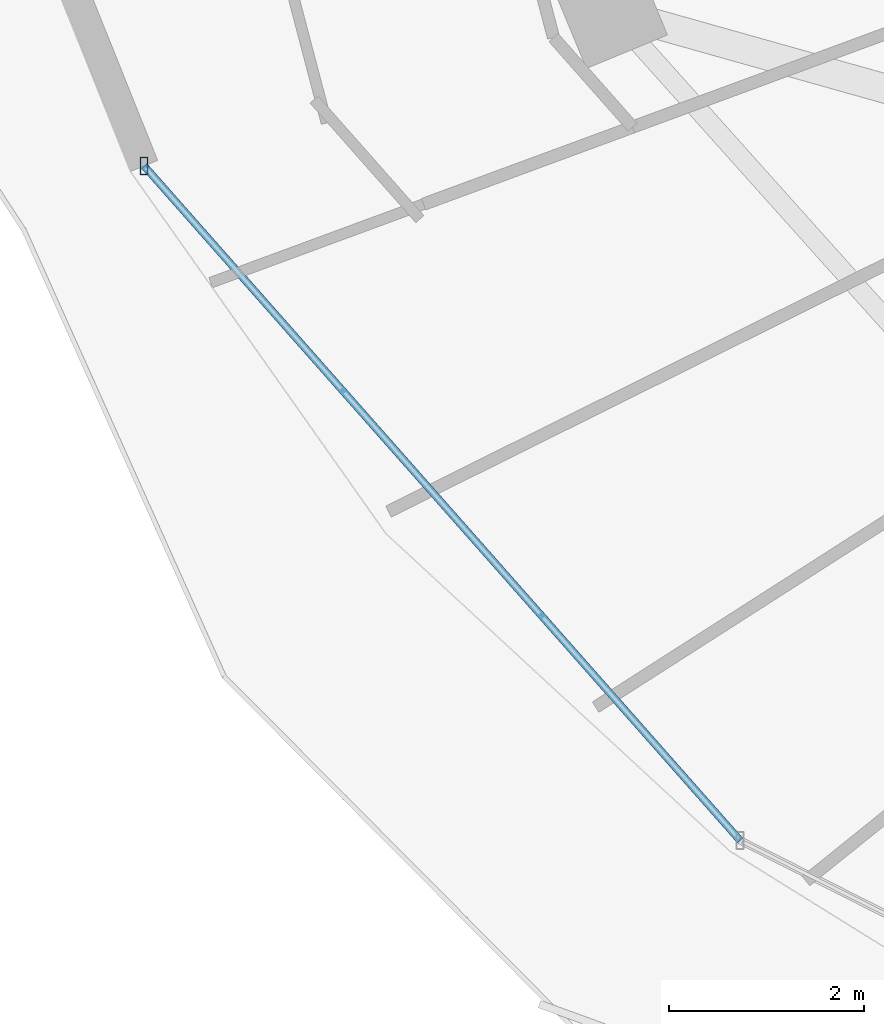
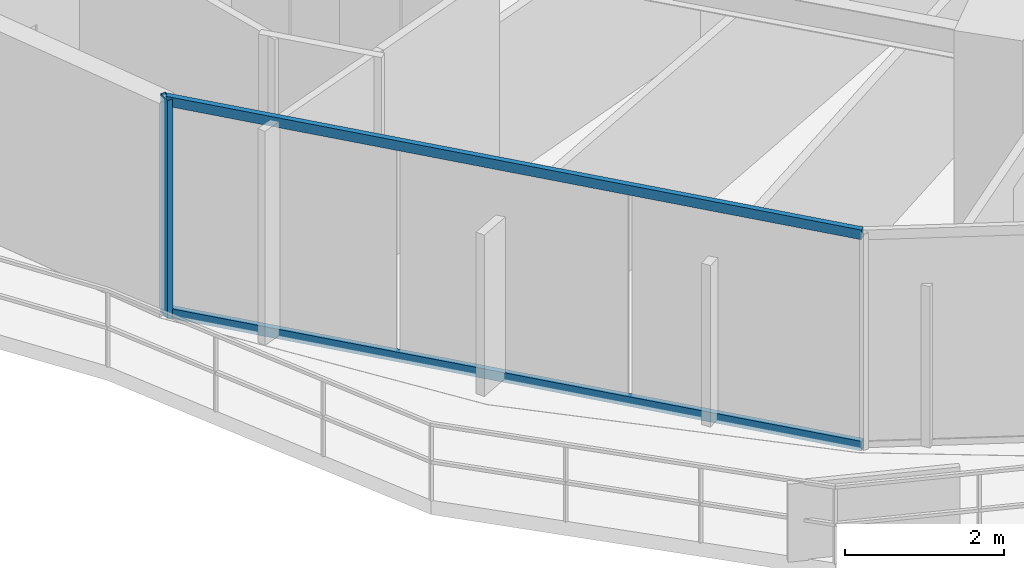
# One storey, part 3 of 33: 3 members, 1 element without a shape of its own.
"""IFC4 building model written with IfcOpenShell, lengths in metres."""

from ifc_helpers import new_model, si_unit, direction, frame, origin, origin_2d, place, context, subcontext, project, spatial, hollow_rectangle, extrude, material, material_profile, profile_set, type_object, element, aggregate, save


model = new_model("IFC4")

# Units and contexts
model_context = context("Model", 3, precision=1e-05, world=origin(), true_north=direction((0.0, 1.0)))
body_context = subcontext(model_context, "Body", "Model", "MODEL_VIEW")
ifc_project = project(units=[si_unit("LENGTHUNIT", "METRE"), si_unit("AREAUNIT", "SQUARE_METRE"), si_unit("VOLUMEUNIT", "CUBIC_METRE"), si_unit("PLANEANGLEUNIT", "RADIAN"), si_unit("MASSUNIT", "GRAM", prefix="KILO")], contexts=[model_context])

# Site, building, storey
site_placement = place(None, origin())
site = spatial("IfcSite", under=ifc_project, at=site_placement, CompositionType="ELEMENT")
building_placement = place(site_placement, origin())
building = spatial("IfcBuilding", under=site, at=building_placement, Name="Vorneva Point Tower", CompositionType="ELEMENT")
storey_placement = place(building_placement, frame((0.0, 0.0, 203.64990234375)))
storey = spatial("IfcBuildingStorey", under=building, at=storey_placement, Name="L55", CompositionType="ELEMENT", Elevation=203.64990234375)

# Curtain wall, members
ifc_material = material(Name="Pale anodised aluminium", Category="aluminium")
curtain_wall_type = type_object("IfcCurtainWallType", Name="CW-RES-SYS", PredefinedType="NOTDEFINED", material=ifc_material)
curtain_wall_placement = place(storey_placement, origin())
curtain_wall = element("IfcCurtainWall", 1, at=curtain_wall_placement, inside=storey, type_object=curtain_wall_type, Name="L55 Unitised Curtain Wall CW-L55-R03", PredefinedType="NOTDEFINED")
ifc_material_profile_1 = material_profile(ifc_material, hollow_rectangle(XDim=0.074951171875, YDim=0.179931640625, WallThickness=0.00390625, at=origin_2d()), Name="AL-MUL 180x75x4")
ifc_profile_set_1 = profile_set([ifc_material_profile_1], Name="Pale anodised aluminium")
member_type_1 = type_object("IfcMemberType", Name="CW-MUL-180", PredefinedType="MULLION", material=ifc_profile_set_1)
member_1_placement = place(storey_placement, frame((11.9189453125, 17.82958984375, -0.039794921875), z_axis=(0.0, 0.0, 1.0), x_axis=(1.0, 0.0, 0.0)))
member_1 = element("IfcMember", 2, at=member_1_placement, type_object=member_type_1, Name="CW-L55-R03 Mullion 01", PredefinedType="MULLION", context=body_context, shape_type="SweptSolid", body=[
    extrude(hollow_rectangle(XDim=0.074951171875, YDim=0.179931640625, WallThickness=0.00390625, at=origin_2d()), origin(), (0.0, 0.0, 1.0), 3.35986328125),
])
ifc_material_profile_2 = material_profile(ifc_material, hollow_rectangle(XDim=0.074951171875, YDim=0.14990234375, WallThickness=0.00390625, at=origin_2d()), Name="AL-TRN 150x75x4")
ifc_profile_set_2 = profile_set([ifc_material_profile_2], Name="Pale anodised aluminium")
member_type_2 = type_object("IfcMemberType", Name="CW-TRN-150", PredefinedType="USERDEFINED", material=ifc_profile_set_2)
member_2_placement = place(storey_placement, frame((11.9189453125, 17.82958984375, 0.02001953125), z_axis=(0.662106383869, -0.749409858782, 0.0), x_axis=(0.749409858782, 0.662106383869, 0.0)))
member_2 = element("IfcMember", 3, at=member_2_placement, type_object=member_type_2, Name="CW-L55-R03 Transom 01.1", ObjectType="TRANSOM", PredefinedType="USERDEFINED", context=body_context, shape_type="SweptSolid", body=[
    extrude(hollow_rectangle(XDim=0.074951171875, YDim=0.14990234375, WallThickness=0.00390625, at=origin_2d()), origin(), (0.0, 0.0, 1.0), 9.2421875),
])
member_3_placement = place(storey_placement, frame((11.9189453125, 17.82958984375, 3.27001953125), z_axis=(0.662106383869, -0.749409858782, 0.0), x_axis=(0.749409858782, 0.662106383869, 0.0)))
member_3 = element("IfcMember", 4, at=member_3_placement, type_object=member_type_2, Name="CW-L55-R03 Transom 01.2", ObjectType="TRANSOM", PredefinedType="USERDEFINED", context=body_context, shape_type="SweptSolid", body=[
    extrude(hollow_rectangle(XDim=0.074951171875, YDim=0.14990234375, WallThickness=0.00390625, at=origin_2d()), origin(), (0.0, 0.0, 1.0), 9.2421875),
])
aggregate(curtain_wall, [member_1, member_2, member_3])

save(model, "model.ifc")
